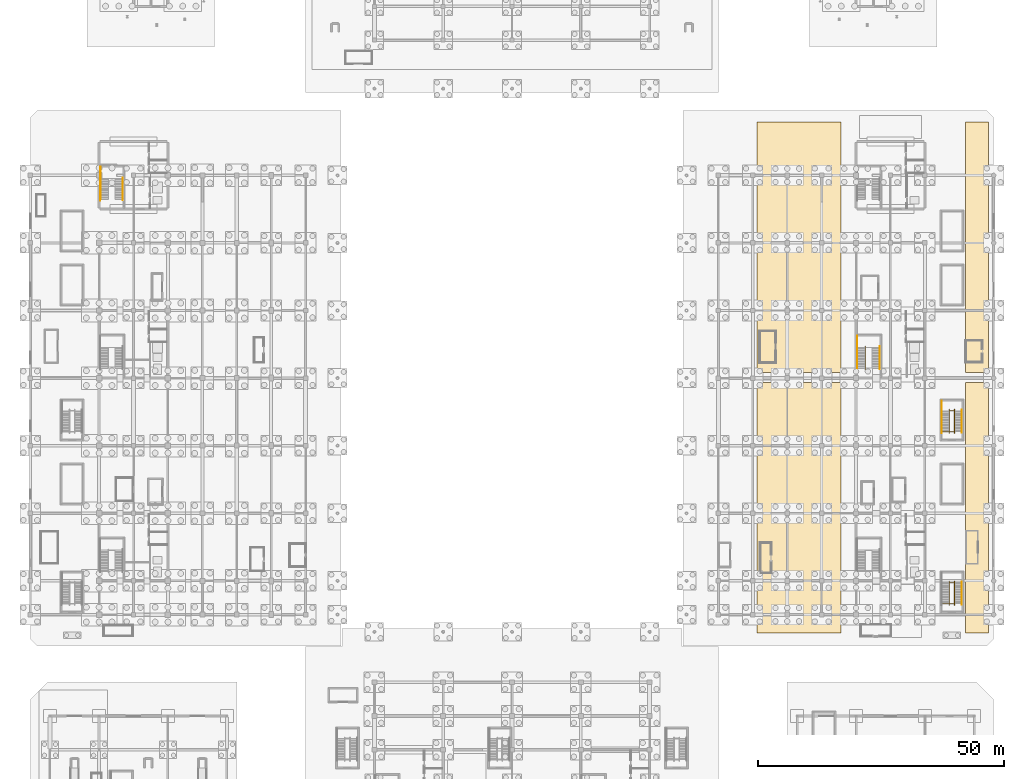
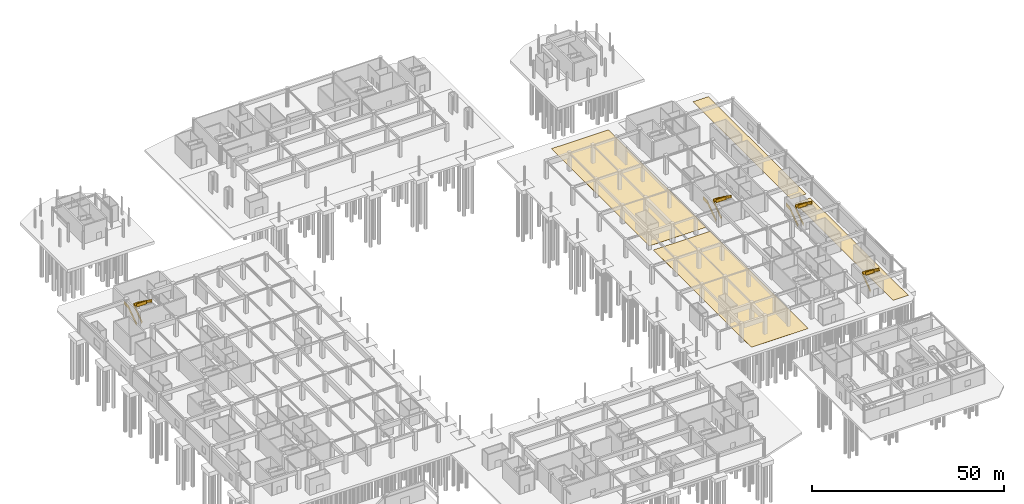
# One storey, part 59 of 62: 11 railings, 4 coverings.
"""IFC4 building model written with IfcOpenShell, lengths in metres."""

from ifc_helpers import new_model, si_unit, direction, frame, origin, origin_2d, place, context, subcontext, project, spatial, polyline, rectangle, outline, extrude, material, layer, layer_set, type_object, element, save


model = new_model("IFC4")

# Units and contexts
model_context = context("Model", 3, precision=1e-05, world=origin(), true_north=direction((0.0, 1.0)))
body_context = subcontext(model_context, "Body", "Model", "MODEL_VIEW")
ifc_project = project(units=[si_unit("LENGTHUNIT", "METRE"), si_unit("AREAUNIT", "SQUARE_METRE"), si_unit("VOLUMEUNIT", "CUBIC_METRE"), si_unit("PLANEANGLEUNIT", "RADIAN"), si_unit("MASSUNIT", "GRAM", prefix="KILO")], contexts=[model_context])

# Site, building, storey
site_placement = place(None, origin())
site = spatial("IfcSite", under=ifc_project, at=site_placement, CompositionType="ELEMENT")
building_placement = place(site_placement, origin())
building = spatial("IfcBuilding", under=site, at=building_placement, Name="Linyun Crest Stadium", CompositionType="ELEMENT")
storey_placement = place(building_placement, frame((0.0, 0.0, -6.0)))
storey = spatial("IfcBuildingStorey", under=building, at=storey_placement, Name="B1", CompositionType="ELEMENT", Elevation=-6.0)

# Coverings
ifc_material_1 = material(Name="Polymeric cushioned multi-sport athletic flooring")
ifc_layer = layer(ifc_material_1, 0.01806640625)
ifc_layer_set = layer_set([ifc_layer], Name="Polymeric cushioned multi-sport athletic flooring")
covering_type = type_object("IfcCoveringType", Name="FLR01", PredefinedType="FLOORING", material=ifc_layer_set)
covering_1_placement = place(storey_placement, origin())
element("IfcCovering", 1, at=covering_1_placement, inside=storey, type_object=covering_type, Name="Athletic flooring FLR01 1", PredefinedType="FLOORING", context=body_context, shape_type="SweptSolid", body=[
    extrude(outline(polyline([(49.800048828125, -49.699951171875), (66.89990234375, -49.699951171875), (66.89990234375, 1.199951171875), (49.800048828125, 1.199951171875), (49.800048828125, -49.699951171875)])), origin(), (0.0, 0.0, 1.0), 0.01806640625),
])
covering_2_placement = place(storey_placement, origin())
element("IfcCovering", 2, at=covering_2_placement, inside=storey, type_object=covering_type, Name="Athletic flooring FLR01 2", PredefinedType="FLOORING", context=body_context, shape_type="SweptSolid", body=[
    extrude(outline(polyline([(49.800048828125, 3.300048828125), (66.89990234375, 3.300048828125), (66.89990234375, 54.199951171875), (49.800048828125, 54.199951171875), (49.800048828125, 3.300048828125)])), origin(), (0.0, 0.0, 1.0), 0.01806640625),
])
covering_3_placement = place(storey_placement, origin())
element("IfcCovering", 3, at=covering_3_placement, inside=storey, type_object=covering_type, Name="Athletic flooring FLR01 3", PredefinedType="FLOORING", context=body_context, shape_type="SweptSolid", body=[
    extrude(outline(polyline([(92.300048828125, -49.699951171875), (96.89990234375, -49.699951171875), (96.89990234375, 1.199951171875), (92.300048828125, 1.199951171875), (92.300048828125, -49.699951171875)])), origin(), (0.0, 0.0, 1.0), 0.01806640625),
])
covering_4_placement = place(storey_placement, origin())
element("IfcCovering", 4, at=covering_4_placement, inside=storey, type_object=covering_type, Name="Athletic flooring FLR01 4", PredefinedType="FLOORING", context=body_context, shape_type="SweptSolid", body=[
    extrude(outline(polyline([(92.300048828125, 3.300048828125), (96.89990234375, 3.300048828125), (96.89990234375, 54.199951171875), (92.300048828125, 54.199951171875), (92.300048828125, 3.300048828125)])), origin(), (0.0, 0.0, 1.0), 0.01806640625),
])

# Railings
ifc_material_2 = material(Name="Painted steel stairwell safety guard", Category="steel")
railing_type_1 = type_object("IfcRailingType", Name="GR03", PredefinedType="GUARDRAIL", material=ifc_material_2)
railing_1_placement = place(storey_placement, frame((-83.7451171875, 38.489990234375, 0.0)))
element("IfcRailing", 5, at=railing_1_placement, inside=storey, type_object=railing_type_1, Name="STR-03-B1 outer guard", PredefinedType="GUARDRAIL", context=body_context, shape_type="SweptSolid", body=[
    extrude(rectangle(XDim=0.06005859375, YDim=0.06005859375, at=origin_2d()), frame((0.0, 0.0, 1.090087890625), z_axis=(0.0, 0.816967863265, 0.576683197599), x_axis=(-1.0, 0.0, 0.0)), (0.0, 0.0, 1.0), 5.2021484375),
    extrude(rectangle(XDim=0.030029296875, YDim=1.0, at=origin_2d()), frame((0.0, 0.0, 0.56005859375), z_axis=(0.0, 0.816967863265, 0.576683197599), x_axis=(-1.0, 0.0, 0.0)), (0.0, 0.0, 1.0), 5.2021484375),
    extrude(rectangle(XDim=0.06005859375, YDim=0.06005859375, at=origin_2d()), frame((0.0, 0.0, 0.030029296875), z_axis=(0.0, 0.816967863265, 0.576683197599), x_axis=(-1.0, 0.0, 0.0)), (0.0, 0.0, 1.0), 5.2021484375),
    extrude(rectangle(XDim=0.06005859375, YDim=0.06005859375, at=origin_2d()), frame((0.0, 4.25, 4.090087890625), z_axis=(0.0, 1.0, 0.0), x_axis=(-1.0, 0.0, 0.0)), (0.0, 0.0, 1.0), 2.330078125),
    extrude(rectangle(XDim=0.030029296875, YDim=1.0, at=origin_2d()), frame((0.0, 4.25, 3.56005859375), z_axis=(0.0, 1.0, 0.0), x_axis=(-1.0, 0.0, 0.0)), (0.0, 0.0, 1.0), 2.330078125),
    extrude(rectangle(XDim=0.06005859375, YDim=0.06005859375, at=origin_2d()), frame((0.0, 4.25, 3.030029296875), z_axis=(0.0, 1.0, 0.0), x_axis=(-1.0, 0.0, 0.0)), (0.0, 0.0, 1.0), 2.330078125),
    extrude(rectangle(XDim=0.050048828125, YDim=0.050048828125, at=origin_2d()), origin(), (0.0, 0.0, 1.0), 1.1201171875),
    extrude(rectangle(XDim=0.050048828125, YDim=0.050048828125, at=origin_2d()), frame((0.0, 1.416748046875, 1.0)), (0.0, 0.0, 1.0), 1.1201171875),
    extrude(rectangle(XDim=0.050048828125, YDim=0.050048828125, at=origin_2d()), frame((0.0, 2.833251953125, 2.0)), (0.0, 0.0, 1.0), 1.1201171875),
    extrude(rectangle(XDim=0.050048828125, YDim=0.050048828125, at=origin_2d()), frame((0.0, 4.25, 3.0)), (0.0, 0.0, 1.0), 1.1201171875),
    extrude(rectangle(XDim=0.050048828125, YDim=0.050048828125, at=origin_2d()), frame((0.0, 5.4150390625, 3.0)), (0.0, 0.0, 1.0), 1.1201171875),
    extrude(rectangle(XDim=0.050048828125, YDim=0.050048828125, at=origin_2d()), frame((0.0, 6.580078125, 3.0)), (0.0, 0.0, 1.0), 1.1201171875),
])
railing_2_placement = place(storey_placement, frame((-82.10498046875, 38.469970703125, 0.0)))
element("IfcRailing", 6, at=railing_2_placement, inside=storey, type_object=railing_type_1, Name="STR-03-B1 inner well guard", PredefinedType="GUARDRAIL", context=body_context, shape_type="SweptSolid", body=[
    extrude(rectangle(XDim=0.06005859375, YDim=0.06005859375, at=origin_2d()), frame((0.0, 0.0, 1.090087890625), z_axis=(0.0, 0.818241657069, 0.574874412926), x_axis=(-1.0, 0.0, 0.0)), (0.0, 0.0, 1.0), 5.218505859375),
    extrude(rectangle(XDim=0.030029296875, YDim=1.0, at=origin_2d()), frame((0.0, 0.0, 0.56005859375), z_axis=(0.0, 0.818241657069, 0.574874412926), x_axis=(-1.0, 0.0, 0.0)), (0.0, 0.0, 1.0), 5.218505859375),
    extrude(rectangle(XDim=0.06005859375, YDim=0.06005859375, at=origin_2d()), frame((0.0, 0.0, 0.030029296875), z_axis=(0.0, 0.818241657069, 0.574874412926), x_axis=(-1.0, 0.0, 0.0)), (0.0, 0.0, 1.0), 5.218505859375),
    extrude(rectangle(XDim=0.06005859375, YDim=0.06005859375, at=origin_2d()), frame((0.0, 4.27001953125, 4.090087890625), z_axis=(1.0, 0.0, 0.0), x_axis=(0.0, 1.0, 0.0)), (0.0, 0.0, 1.0), 1.3349609375),
    extrude(rectangle(XDim=0.030029296875, YDim=1.0, at=origin_2d()), frame((0.0, 4.27001953125, 3.56005859375), z_axis=(1.0, 0.0, 0.0), x_axis=(0.0, 1.0, 0.0)), (0.0, 0.0, 1.0), 1.3349609375),
    extrude(rectangle(XDim=0.06005859375, YDim=0.06005859375, at=origin_2d()), frame((0.0, 4.27001953125, 3.030029296875), z_axis=(1.0, 0.0, 0.0), x_axis=(0.0, 1.0, 0.0)), (0.0, 0.0, 1.0), 1.3349609375),
    extrude(rectangle(XDim=0.06005859375, YDim=0.06005859375, at=origin_2d()), frame((1.3349609375, 4.27001953125, 4.090087890625), z_axis=(0.0, -0.818241657069, 0.574874412926), x_axis=(1.0, 0.0, 0.0)), (0.0, 0.0, 1.0), 5.218505859375),
    extrude(rectangle(XDim=0.030029296875, YDim=1.0, at=origin_2d()), frame((1.3349609375, 4.27001953125, 3.56005859375), z_axis=(0.0, -0.818241657069, 0.574874412926), x_axis=(1.0, 0.0, 0.0)), (0.0, 0.0, 1.0), 5.218505859375),
    extrude(rectangle(XDim=0.06005859375, YDim=0.06005859375, at=origin_2d()), frame((1.3349609375, 4.27001953125, 3.030029296875), z_axis=(0.0, -0.818241657069, 0.574874412926), x_axis=(1.0, 0.0, 0.0)), (0.0, 0.0, 1.0), 5.218505859375),
    extrude(rectangle(XDim=0.06005859375, YDim=0.06005859375, at=origin_2d()), frame((1.3349609375, 0.0, 7.090087890625), z_axis=(-1.0, 0.0, 0.0), x_axis=(0.0, -1.0, 0.0)), (0.0, 0.0, 1.0), 2.98486328125),
    extrude(rectangle(XDim=0.030029296875, YDim=1.0, at=origin_2d()), frame((1.3349609375, 0.0, 6.56005859375), z_axis=(-1.0, 0.0, 0.0), x_axis=(0.0, -1.0, 0.0)), (0.0, 0.0, 1.0), 2.98486328125),
    extrude(rectangle(XDim=0.06005859375, YDim=0.06005859375, at=origin_2d()), frame((1.3349609375, 0.0, 6.030029296875), z_axis=(-1.0, 0.0, 0.0), x_axis=(0.0, -1.0, 0.0)), (0.0, 0.0, 1.0), 2.98486328125),
    extrude(rectangle(XDim=0.050048828125, YDim=0.050048828125, at=origin_2d()), origin(), (0.0, 0.0, 1.0), 1.1201171875),
    extrude(rectangle(XDim=0.050048828125, YDim=0.050048828125, at=origin_2d()), frame((0.0, 1.42333984375, 1.0)), (0.0, 0.0, 1.0), 1.1201171875),
    extrude(rectangle(XDim=0.050048828125, YDim=0.050048828125, at=origin_2d()), frame((0.0, 2.8466796875, 2.0)), (0.0, 0.0, 1.0), 1.1201171875),
    extrude(rectangle(XDim=0.050048828125, YDim=0.050048828125, at=origin_2d()), frame((0.0, 4.27001953125, 3.0)), (0.0, 0.0, 1.0), 1.1201171875),
    extrude(rectangle(XDim=0.050048828125, YDim=0.050048828125, at=origin_2d()), frame((1.3349609375, 4.27001953125, 3.0)), (0.0, 0.0, 1.0), 1.1201171875),
    extrude(rectangle(XDim=0.050048828125, YDim=0.050048828125, at=origin_2d()), frame((1.3349609375, 2.8466796875, 4.0)), (0.0, 0.0, 1.0), 1.1201171875),
    extrude(rectangle(XDim=0.050048828125, YDim=0.050048828125, at=origin_2d()), frame((1.3349609375, 1.42333984375, 5.0)), (0.0, 0.0, 1.0), 1.1201171875),
    extrude(rectangle(XDim=0.050048828125, YDim=0.050048828125, at=origin_2d()), frame((1.3349609375, 0.0, 6.0)), (0.0, 0.0, 1.0), 1.1201171875),
    extrude(rectangle(XDim=0.050048828125, YDim=0.050048828125, at=origin_2d()), frame((-0.157470703125, 0.0, 6.0)), (0.0, 0.0, 1.0), 1.1201171875),
    extrude(rectangle(XDim=0.050048828125, YDim=0.050048828125, at=origin_2d()), frame((-1.64990234375, 0.0, 6.0)), (0.0, 0.0, 1.0), 1.1201171875),
])
railing_3_placement = place(storey_placement, frame((70.22998046875, 4.114990234375, 0.0)))
element("IfcRailing", 7, at=railing_3_placement, inside=storey, type_object=railing_type_1, Name="STR-05-B1 outer guard", PredefinedType="GUARDRAIL", context=body_context, shape_type="SweptSolid", body=[
    extrude(rectangle(XDim=0.06005859375, YDim=0.06005859375, at=origin_2d()), frame((0.0, 0.0, 1.090087890625), z_axis=(0.0, 0.816967863265, 0.576683197599), x_axis=(-1.0, 0.0, 0.0)), (0.0, 0.0, 1.0), 5.2021484375),
    extrude(rectangle(XDim=0.030029296875, YDim=1.0, at=origin_2d()), frame((0.0, 0.0, 0.56005859375), z_axis=(0.0, 0.816967863265, 0.576683197599), x_axis=(-1.0, 0.0, 0.0)), (0.0, 0.0, 1.0), 5.2021484375),
    extrude(rectangle(XDim=0.06005859375, YDim=0.06005859375, at=origin_2d()), frame((0.0, 0.0, 0.030029296875), z_axis=(0.0, 0.816967863265, 0.576683197599), x_axis=(-1.0, 0.0, 0.0)), (0.0, 0.0, 1.0), 5.2021484375),
    extrude(rectangle(XDim=0.06005859375, YDim=0.06005859375, at=origin_2d()), frame((0.0, 4.25, 4.090087890625), z_axis=(0.0, 1.0, 0.0), x_axis=(-1.0, 0.0, 0.0)), (0.0, 0.0, 1.0), 2.330078125),
    extrude(rectangle(XDim=0.030029296875, YDim=1.0, at=origin_2d()), frame((0.0, 4.25, 3.56005859375), z_axis=(0.0, 1.0, 0.0), x_axis=(-1.0, 0.0, 0.0)), (0.0, 0.0, 1.0), 2.330078125),
    extrude(rectangle(XDim=0.06005859375, YDim=0.06005859375, at=origin_2d()), frame((0.0, 4.25, 3.030029296875), z_axis=(0.0, 1.0, 0.0), x_axis=(-1.0, 0.0, 0.0)), (0.0, 0.0, 1.0), 2.330078125),
    extrude(rectangle(XDim=0.050048828125, YDim=0.050048828125, at=origin_2d()), origin(), (0.0, 0.0, 1.0), 1.1201171875),
    extrude(rectangle(XDim=0.050048828125, YDim=0.050048828125, at=origin_2d()), frame((0.0, 1.416748046875, 1.0)), (0.0, 0.0, 1.0), 1.1201171875),
    extrude(rectangle(XDim=0.050048828125, YDim=0.050048828125, at=origin_2d()), frame((0.0, 2.833251953125, 2.0)), (0.0, 0.0, 1.0), 1.1201171875),
    extrude(rectangle(XDim=0.050048828125, YDim=0.050048828125, at=origin_2d()), frame((0.0, 4.25, 3.0)), (0.0, 0.0, 1.0), 1.1201171875),
    extrude(rectangle(XDim=0.050048828125, YDim=0.050048828125, at=origin_2d()), frame((0.0, 5.4150390625, 3.0)), (0.0, 0.0, 1.0), 1.1201171875),
    extrude(rectangle(XDim=0.050048828125, YDim=0.050048828125, at=origin_2d()), frame((0.0, 6.580078125, 3.0)), (0.0, 0.0, 1.0), 1.1201171875),
])
railing_4_placement = place(storey_placement, frame((71.8701171875, 4.094970703125, 0.0)))
element("IfcRailing", 8, at=railing_4_placement, inside=storey, type_object=railing_type_1, Name="STR-05-B1 inner well guard", PredefinedType="GUARDRAIL", context=body_context, shape_type="SweptSolid", body=[
    extrude(rectangle(XDim=0.06005859375, YDim=0.06005859375, at=origin_2d()), frame((0.0, 0.0, 1.090087890625), z_axis=(0.0, 0.818241657069, 0.574874412926), x_axis=(-1.0, 0.0, 0.0)), (0.0, 0.0, 1.0), 5.218505859375),
    extrude(rectangle(XDim=0.030029296875, YDim=1.0, at=origin_2d()), frame((0.0, 0.0, 0.56005859375), z_axis=(0.0, 0.818241657069, 0.574874412926), x_axis=(-1.0, 0.0, 0.0)), (0.0, 0.0, 1.0), 5.218505859375),
    extrude(rectangle(XDim=0.06005859375, YDim=0.06005859375, at=origin_2d()), frame((0.0, 0.0, 0.030029296875), z_axis=(0.0, 0.818241657069, 0.574874412926), x_axis=(-1.0, 0.0, 0.0)), (0.0, 0.0, 1.0), 5.218505859375),
    extrude(rectangle(XDim=0.06005859375, YDim=0.06005859375, at=origin_2d()), frame((0.0, 4.27001953125, 4.090087890625), z_axis=(1.0, 0.0, 0.0), x_axis=(0.0, 1.0, 0.0)), (0.0, 0.0, 1.0), 1.35986328125),
    extrude(rectangle(XDim=0.030029296875, YDim=1.0, at=origin_2d()), frame((0.0, 4.27001953125, 3.56005859375), z_axis=(1.0, 0.0, 0.0), x_axis=(0.0, 1.0, 0.0)), (0.0, 0.0, 1.0), 1.35986328125),
    extrude(rectangle(XDim=0.06005859375, YDim=0.06005859375, at=origin_2d()), frame((0.0, 4.27001953125, 3.030029296875), z_axis=(1.0, 0.0, 0.0), x_axis=(0.0, 1.0, 0.0)), (0.0, 0.0, 1.0), 1.35986328125),
    extrude(rectangle(XDim=0.06005859375, YDim=0.06005859375, at=origin_2d()), frame((1.35986328125, 4.27001953125, 4.090087890625), z_axis=(0.0, -0.818241657069, 0.574874412926), x_axis=(1.0, 0.0, 0.0)), (0.0, 0.0, 1.0), 5.218505859375),
    extrude(rectangle(XDim=0.030029296875, YDim=1.0, at=origin_2d()), frame((1.35986328125, 4.27001953125, 3.56005859375), z_axis=(0.0, -0.818241657069, 0.574874412926), x_axis=(1.0, 0.0, 0.0)), (0.0, 0.0, 1.0), 5.218505859375),
    extrude(rectangle(XDim=0.06005859375, YDim=0.06005859375, at=origin_2d()), frame((1.35986328125, 4.27001953125, 3.030029296875), z_axis=(0.0, -0.818241657069, 0.574874412926), x_axis=(1.0, 0.0, 0.0)), (0.0, 0.0, 1.0), 5.218505859375),
    extrude(rectangle(XDim=0.06005859375, YDim=0.06005859375, at=origin_2d()), frame((1.35986328125, 0.0, 7.090087890625), z_axis=(-1.0, 0.0, 0.0), x_axis=(0.0, -1.0, 0.0)), (0.0, 0.0, 1.0), 3.010009765625),
    extrude(rectangle(XDim=0.030029296875, YDim=1.0, at=origin_2d()), frame((1.35986328125, 0.0, 6.56005859375), z_axis=(-1.0, 0.0, 0.0), x_axis=(0.0, -1.0, 0.0)), (0.0, 0.0, 1.0), 3.010009765625),
    extrude(rectangle(XDim=0.06005859375, YDim=0.06005859375, at=origin_2d()), frame((1.35986328125, 0.0, 6.030029296875), z_axis=(-1.0, 0.0, 0.0), x_axis=(0.0, -1.0, 0.0)), (0.0, 0.0, 1.0), 3.010009765625),
    extrude(rectangle(XDim=0.050048828125, YDim=0.050048828125, at=origin_2d()), origin(), (0.0, 0.0, 1.0), 1.1201171875),
    extrude(rectangle(XDim=0.050048828125, YDim=0.050048828125, at=origin_2d()), frame((0.0, 1.42333984375, 1.0)), (0.0, 0.0, 1.0), 1.1201171875),
    extrude(rectangle(XDim=0.050048828125, YDim=0.050048828125, at=origin_2d()), frame((0.0, 2.8466796875, 2.0)), (0.0, 0.0, 1.0), 1.1201171875),
    extrude(rectangle(XDim=0.050048828125, YDim=0.050048828125, at=origin_2d()), frame((0.0, 4.27001953125, 3.0)), (0.0, 0.0, 1.0), 1.1201171875),
    extrude(rectangle(XDim=0.050048828125, YDim=0.050048828125, at=origin_2d()), frame((1.35986328125, 4.27001953125, 3.0)), (0.0, 0.0, 1.0), 1.1201171875),
    extrude(rectangle(XDim=0.050048828125, YDim=0.050048828125, at=origin_2d()), frame((1.35986328125, 2.8466796875, 4.0)), (0.0, 0.0, 1.0), 1.1201171875),
    extrude(rectangle(XDim=0.050048828125, YDim=0.050048828125, at=origin_2d()), frame((1.35986328125, 1.42333984375, 5.0)), (0.0, 0.0, 1.0), 1.1201171875),
    extrude(rectangle(XDim=0.050048828125, YDim=0.050048828125, at=origin_2d()), frame((1.35986328125, 0.0, 6.0)), (0.0, 0.0, 1.0), 1.1201171875),
    extrude(rectangle(XDim=0.050048828125, YDim=0.050048828125, at=origin_2d()), frame((-0.14501953125, 0.0, 6.0)), (0.0, 0.0, 1.0), 1.1201171875),
    extrude(rectangle(XDim=0.050048828125, YDim=0.050048828125, at=origin_2d()), frame((-1.650146484375, 0.0, 6.0)), (0.0, 0.0, 1.0), 1.1201171875),
])
railing_5_placement = place(storey_placement, frame((88.969970703125, -43.800048828125, 0.0)))
element("IfcRailing", 9, at=railing_5_placement, inside=storey, type_object=railing_type_1, Name="STR-18-B1 inner well guard", PredefinedType="GUARDRAIL", context=body_context, shape_type="SweptSolid", body=[
    extrude(rectangle(XDim=0.06005859375, YDim=0.06005859375, at=origin_2d()), frame((0.0, 0.0, 1.090087890625), z_axis=(0.0, 0.818241657069, 0.574874412926), x_axis=(-1.0, 0.0, 0.0)), (0.0, 0.0, 1.0), 5.218505859375),
    extrude(rectangle(XDim=0.030029296875, YDim=1.0, at=origin_2d()), frame((0.0, 0.0, 0.56005859375), z_axis=(0.0, 0.818241657069, 0.574874412926), x_axis=(-1.0, 0.0, 0.0)), (0.0, 0.0, 1.0), 5.218505859375),
    extrude(rectangle(XDim=0.06005859375, YDim=0.06005859375, at=origin_2d()), frame((0.0, 0.0, 0.030029296875), z_axis=(0.0, 0.818241657069, 0.574874412926), x_axis=(-1.0, 0.0, 0.0)), (0.0, 0.0, 1.0), 5.218505859375),
    extrude(rectangle(XDim=0.06005859375, YDim=0.06005859375, at=origin_2d()), frame((0.0, 4.27001953125, 4.090087890625), z_axis=(1.0, 0.0, 0.0), x_axis=(0.0, 1.0, 0.0)), (0.0, 0.0, 1.0), 1.06005859375),
    extrude(rectangle(XDim=0.030029296875, YDim=1.0, at=origin_2d()), frame((0.0, 4.27001953125, 3.56005859375), z_axis=(1.0, 0.0, 0.0), x_axis=(0.0, 1.0, 0.0)), (0.0, 0.0, 1.0), 1.06005859375),
    extrude(rectangle(XDim=0.06005859375, YDim=0.06005859375, at=origin_2d()), frame((0.0, 4.27001953125, 3.030029296875), z_axis=(1.0, 0.0, 0.0), x_axis=(0.0, 1.0, 0.0)), (0.0, 0.0, 1.0), 1.06005859375),
    extrude(rectangle(XDim=0.06005859375, YDim=0.06005859375, at=origin_2d()), frame((1.06005859375, 4.27001953125, 4.090087890625), z_axis=(0.0, -0.818241657069, 0.574874412926), x_axis=(1.0, 0.0, 0.0)), (0.0, 0.0, 1.0), 5.218505859375),
    extrude(rectangle(XDim=0.030029296875, YDim=1.0, at=origin_2d()), frame((1.06005859375, 4.27001953125, 3.56005859375), z_axis=(0.0, -0.818241657069, 0.574874412926), x_axis=(1.0, 0.0, 0.0)), (0.0, 0.0, 1.0), 5.218505859375),
    extrude(rectangle(XDim=0.06005859375, YDim=0.06005859375, at=origin_2d()), frame((1.06005859375, 4.27001953125, 3.030029296875), z_axis=(0.0, -0.818241657069, 0.574874412926), x_axis=(1.0, 0.0, 0.0)), (0.0, 0.0, 1.0), 5.218505859375),
    extrude(rectangle(XDim=0.06005859375, YDim=0.06005859375, at=origin_2d()), frame((1.06005859375, 0.0, 7.090087890625), z_axis=(-1.0, 0.0, 0.0), x_axis=(0.0, -1.0, 0.0)), (0.0, 0.0, 1.0), 2.610107421875),
    extrude(rectangle(XDim=0.030029296875, YDim=1.0, at=origin_2d()), frame((1.06005859375, 0.0, 6.56005859375), z_axis=(-1.0, 0.0, 0.0), x_axis=(0.0, -1.0, 0.0)), (0.0, 0.0, 1.0), 2.610107421875),
    extrude(rectangle(XDim=0.06005859375, YDim=0.06005859375, at=origin_2d()), frame((1.06005859375, 0.0, 6.030029296875), z_axis=(-1.0, 0.0, 0.0), x_axis=(0.0, -1.0, 0.0)), (0.0, 0.0, 1.0), 2.610107421875),
    extrude(rectangle(XDim=0.050048828125, YDim=0.050048828125, at=origin_2d()), origin(), (0.0, 0.0, 1.0), 1.1201171875),
    extrude(rectangle(XDim=0.050048828125, YDim=0.050048828125, at=origin_2d()), frame((0.0, 1.42333984375, 1.0)), (0.0, 0.0, 1.0), 1.1201171875),
    extrude(rectangle(XDim=0.050048828125, YDim=0.050048828125, at=origin_2d()), frame((0.0, 2.8466796875, 2.0)), (0.0, 0.0, 1.0), 1.1201171875),
    extrude(rectangle(XDim=0.050048828125, YDim=0.050048828125, at=origin_2d()), frame((0.0, 4.27001953125, 3.0)), (0.0, 0.0, 1.0), 1.1201171875),
    extrude(rectangle(XDim=0.050048828125, YDim=0.050048828125, at=origin_2d()), frame((1.06005859375, 4.27001953125, 3.0)), (0.0, 0.0, 1.0), 1.1201171875),
    extrude(rectangle(XDim=0.050048828125, YDim=0.050048828125, at=origin_2d()), frame((1.06005859375, 2.8466796875, 4.0)), (0.0, 0.0, 1.0), 1.1201171875),
    extrude(rectangle(XDim=0.050048828125, YDim=0.050048828125, at=origin_2d()), frame((1.06005859375, 1.42333984375, 5.0)), (0.0, 0.0, 1.0), 1.1201171875),
    extrude(rectangle(XDim=0.050048828125, YDim=0.050048828125, at=origin_2d()), frame((1.06005859375, 0.0, 6.0)), (0.0, 0.0, 1.0), 1.1201171875),
    extrude(rectangle(XDim=0.050048828125, YDim=0.050048828125, at=origin_2d()), frame((-0.2451171875, 0.0, 6.0)), (0.0, 0.0, 1.0), 1.1201171875),
    extrude(rectangle(XDim=0.050048828125, YDim=0.050048828125, at=origin_2d()), frame((-1.550048828125, 0.0, 6.0)), (0.0, 0.0, 1.0), 1.1201171875),
])
railing_6_placement = place(storey_placement, frame((87.429931640625, -8.780029296875, 0.0)))
element("IfcRailing", 10, at=railing_6_placement, inside=storey, type_object=railing_type_1, Name="STR-20-B1 outer guard", PredefinedType="GUARDRAIL", context=body_context, shape_type="SweptSolid", body=[
    extrude(rectangle(XDim=0.06005859375, YDim=0.06005859375, at=origin_2d()), frame((0.0, 0.0, 1.090087890625), z_axis=(0.0, 0.816967863265, 0.576683197599), x_axis=(-1.0, 0.0, 0.0)), (0.0, 0.0, 1.0), 5.2021484375),
    extrude(rectangle(XDim=0.030029296875, YDim=1.0, at=origin_2d()), frame((0.0, 0.0, 0.56005859375), z_axis=(0.0, 0.816967863265, 0.576683197599), x_axis=(-1.0, 0.0, 0.0)), (0.0, 0.0, 1.0), 5.2021484375),
    extrude(rectangle(XDim=0.06005859375, YDim=0.06005859375, at=origin_2d()), frame((0.0, 0.0, 0.030029296875), z_axis=(0.0, 0.816967863265, 0.576683197599), x_axis=(-1.0, 0.0, 0.0)), (0.0, 0.0, 1.0), 5.2021484375),
    extrude(rectangle(XDim=0.06005859375, YDim=0.06005859375, at=origin_2d()), frame((0.0, 4.25, 4.090087890625), z_axis=(0.0, 1.0, 0.0), x_axis=(-1.0, 0.0, 0.0)), (0.0, 0.0, 1.0), 2.0),
    extrude(rectangle(XDim=0.030029296875, YDim=1.0, at=origin_2d()), frame((0.0, 4.25, 3.56005859375), z_axis=(0.0, 1.0, 0.0), x_axis=(-1.0, 0.0, 0.0)), (0.0, 0.0, 1.0), 2.0),
    extrude(rectangle(XDim=0.06005859375, YDim=0.06005859375, at=origin_2d()), frame((0.0, 4.25, 3.030029296875), z_axis=(0.0, 1.0, 0.0), x_axis=(-1.0, 0.0, 0.0)), (0.0, 0.0, 1.0), 2.0),
    extrude(rectangle(XDim=0.050048828125, YDim=0.050048828125, at=origin_2d()), origin(), (0.0, 0.0, 1.0), 1.1201171875),
    extrude(rectangle(XDim=0.050048828125, YDim=0.050048828125, at=origin_2d()), frame((0.0, 1.416748046875, 1.0)), (0.0, 0.0, 1.0), 1.1201171875),
    extrude(rectangle(XDim=0.050048828125, YDim=0.050048828125, at=origin_2d()), frame((0.0, 2.833251953125, 2.0)), (0.0, 0.0, 1.0), 1.1201171875),
    extrude(rectangle(XDim=0.050048828125, YDim=0.050048828125, at=origin_2d()), frame((0.0, 4.25, 3.0)), (0.0, 0.0, 1.0), 1.1201171875),
    extrude(rectangle(XDim=0.050048828125, YDim=0.050048828125, at=origin_2d()), frame((0.0, 6.25, 3.0)), (0.0, 0.0, 1.0), 1.1201171875),
])
railing_7_placement = place(storey_placement, frame((88.969970703125, -8.800048828125, 0.0)))
element("IfcRailing", 11, at=railing_7_placement, inside=storey, type_object=railing_type_1, Name="STR-20-B1 inner well guard", PredefinedType="GUARDRAIL", context=body_context, shape_type="SweptSolid", body=[
    extrude(rectangle(XDim=0.06005859375, YDim=0.06005859375, at=origin_2d()), frame((0.0, 0.0, 1.090087890625), z_axis=(0.0, 0.818241657069, 0.574874412926), x_axis=(-1.0, 0.0, 0.0)), (0.0, 0.0, 1.0), 5.218505859375),
    extrude(rectangle(XDim=0.030029296875, YDim=1.0, at=origin_2d()), frame((0.0, 0.0, 0.56005859375), z_axis=(0.0, 0.818241657069, 0.574874412926), x_axis=(-1.0, 0.0, 0.0)), (0.0, 0.0, 1.0), 5.218505859375),
    extrude(rectangle(XDim=0.06005859375, YDim=0.06005859375, at=origin_2d()), frame((0.0, 0.0, 0.030029296875), z_axis=(0.0, 0.818241657069, 0.574874412926), x_axis=(-1.0, 0.0, 0.0)), (0.0, 0.0, 1.0), 5.218505859375),
    extrude(rectangle(XDim=0.06005859375, YDim=0.06005859375, at=origin_2d()), frame((0.0, 4.27001953125, 4.090087890625), z_axis=(1.0, 0.0, 0.0), x_axis=(0.0, 1.0, 0.0)), (0.0, 0.0, 1.0), 1.06005859375),
    extrude(rectangle(XDim=0.030029296875, YDim=1.0, at=origin_2d()), frame((0.0, 4.27001953125, 3.56005859375), z_axis=(1.0, 0.0, 0.0), x_axis=(0.0, 1.0, 0.0)), (0.0, 0.0, 1.0), 1.06005859375),
    extrude(rectangle(XDim=0.06005859375, YDim=0.06005859375, at=origin_2d()), frame((0.0, 4.27001953125, 3.030029296875), z_axis=(1.0, 0.0, 0.0), x_axis=(0.0, 1.0, 0.0)), (0.0, 0.0, 1.0), 1.06005859375),
    extrude(rectangle(XDim=0.06005859375, YDim=0.06005859375, at=origin_2d()), frame((1.06005859375, 4.27001953125, 4.090087890625), z_axis=(0.0, -0.818241657069, 0.574874412926), x_axis=(1.0, 0.0, 0.0)), (0.0, 0.0, 1.0), 5.218505859375),
    extrude(rectangle(XDim=0.030029296875, YDim=1.0, at=origin_2d()), frame((1.06005859375, 4.27001953125, 3.56005859375), z_axis=(0.0, -0.818241657069, 0.574874412926), x_axis=(1.0, 0.0, 0.0)), (0.0, 0.0, 1.0), 5.218505859375),
    extrude(rectangle(XDim=0.06005859375, YDim=0.06005859375, at=origin_2d()), frame((1.06005859375, 4.27001953125, 3.030029296875), z_axis=(0.0, -0.818241657069, 0.574874412926), x_axis=(1.0, 0.0, 0.0)), (0.0, 0.0, 1.0), 5.218505859375),
    extrude(rectangle(XDim=0.06005859375, YDim=0.06005859375, at=origin_2d()), frame((1.06005859375, 0.0, 7.090087890625), z_axis=(-1.0, 0.0, 0.0), x_axis=(0.0, -1.0, 0.0)), (0.0, 0.0, 1.0), 2.610107421875),
    extrude(rectangle(XDim=0.030029296875, YDim=1.0, at=origin_2d()), frame((1.06005859375, 0.0, 6.56005859375), z_axis=(-1.0, 0.0, 0.0), x_axis=(0.0, -1.0, 0.0)), (0.0, 0.0, 1.0), 2.610107421875),
    extrude(rectangle(XDim=0.06005859375, YDim=0.06005859375, at=origin_2d()), frame((1.06005859375, 0.0, 6.030029296875), z_axis=(-1.0, 0.0, 0.0), x_axis=(0.0, -1.0, 0.0)), (0.0, 0.0, 1.0), 2.610107421875),
    extrude(rectangle(XDim=0.050048828125, YDim=0.050048828125, at=origin_2d()), origin(), (0.0, 0.0, 1.0), 1.1201171875),
    extrude(rectangle(XDim=0.050048828125, YDim=0.050048828125, at=origin_2d()), frame((0.0, 1.42333984375, 1.0)), (0.0, 0.0, 1.0), 1.1201171875),
    extrude(rectangle(XDim=0.050048828125, YDim=0.050048828125, at=origin_2d()), frame((0.0, 2.8466796875, 2.0)), (0.0, 0.0, 1.0), 1.1201171875),
    extrude(rectangle(XDim=0.050048828125, YDim=0.050048828125, at=origin_2d()), frame((0.0, 4.27001953125, 3.0)), (0.0, 0.0, 1.0), 1.1201171875),
    extrude(rectangle(XDim=0.050048828125, YDim=0.050048828125, at=origin_2d()), frame((1.06005859375, 4.27001953125, 3.0)), (0.0, 0.0, 1.0), 1.1201171875),
    extrude(rectangle(XDim=0.050048828125, YDim=0.050048828125, at=origin_2d()), frame((1.06005859375, 2.8466796875, 4.0)), (0.0, 0.0, 1.0), 1.1201171875),
    extrude(rectangle(XDim=0.050048828125, YDim=0.050048828125, at=origin_2d()), frame((1.06005859375, 1.42333984375, 5.0)), (0.0, 0.0, 1.0), 1.1201171875),
    extrude(rectangle(XDim=0.050048828125, YDim=0.050048828125, at=origin_2d()), frame((1.06005859375, 0.0, 6.0)), (0.0, 0.0, 1.0), 1.1201171875),
    extrude(rectangle(XDim=0.050048828125, YDim=0.050048828125, at=origin_2d()), frame((-0.2451171875, 0.0, 6.0)), (0.0, 0.0, 1.0), 1.1201171875),
    extrude(rectangle(XDim=0.050048828125, YDim=0.050048828125, at=origin_2d()), frame((-1.550048828125, 0.0, 6.0)), (0.0, 0.0, 1.0), 1.1201171875),
])
ifc_material_3 = material(Name="Brushed stainless steel tubular handrail", Category="steel")
railing_type_2 = type_object("IfcRailingType", Name="HR01", PredefinedType="HANDRAIL", material=ifc_material_3)
for number, where, name in (
    (12, (-79.179931640625, 42.739990234375, 3.0), "STR-03-B1 handrail"),
    (13, (74.820068359375, 8.364990234375, 3.0), "STR-05-B1 handrail"),
    (14, (91.52001953125, -39.530029296875, 3.0), "STR-18-B1 handrail"),
    (15, (91.52001953125, -4.530029296875, 3.0), "STR-20-B1 handrail"),
):
    element("IfcRailing", number, at=place(storey_placement, frame(where)), inside=storey, type_object=railing_type_2, Name=name, PredefinedType="HANDRAIL", context=body_context, shape_type="SweptSolid", body=[
        extrude(rectangle(XDim=0.06005859375, YDim=0.06005859375, at=origin_2d()), frame((0.0, 0.0, 0.889892578125), z_axis=(0.0, -0.816967863265, 0.576683197599), x_axis=(1.0, 0.0, 0.0)), (0.0, 0.0, 1.0), 5.2021484375),
        extrude(rectangle(XDim=0.030029296875, YDim=0.7998046875, at=origin_2d()), frame((0.0, 0.0, 0.4599609375), z_axis=(0.0, -0.816967863265, 0.576683197599), x_axis=(1.0, 0.0, 0.0)), (0.0, 0.0, 1.0), 5.2021484375),
        extrude(rectangle(XDim=0.06005859375, YDim=0.06005859375, at=origin_2d()), frame((0.0, 0.0, 0.030029296875), z_axis=(0.0, -0.816967863265, 0.576683197599), x_axis=(1.0, 0.0, 0.0)), (0.0, 0.0, 1.0), 5.2021484375),
        extrude(rectangle(XDim=0.050048828125, YDim=0.050048828125, at=origin_2d()), origin(), (0.0, 0.0, 1.0), 0.919921875),
        extrude(rectangle(XDim=0.050048828125, YDim=0.050048828125, at=origin_2d()), frame((0.0, -1.416748046875, 1.0)), (0.0, 0.0, 1.0), 0.919921875),
        extrude(rectangle(XDim=0.050048828125, YDim=0.050048828125, at=origin_2d()), frame((0.0, -2.833251953125, 2.0)), (0.0, 0.0, 1.0), 0.919921875),
        extrude(rectangle(XDim=0.050048828125, YDim=0.050048828125, at=origin_2d()), frame((0.0, -4.25, 3.0)), (0.0, 0.0, 1.0), 0.919921875),
    ])

save(model, "model.ifc")
